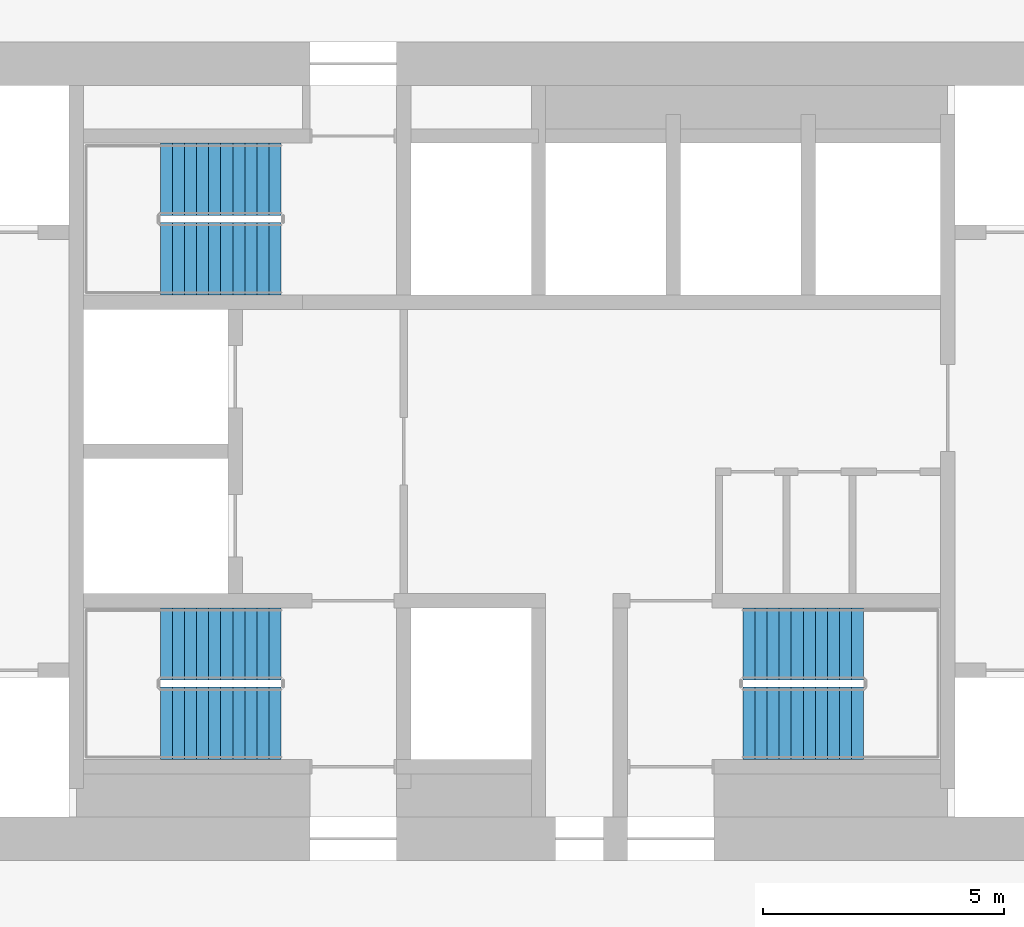
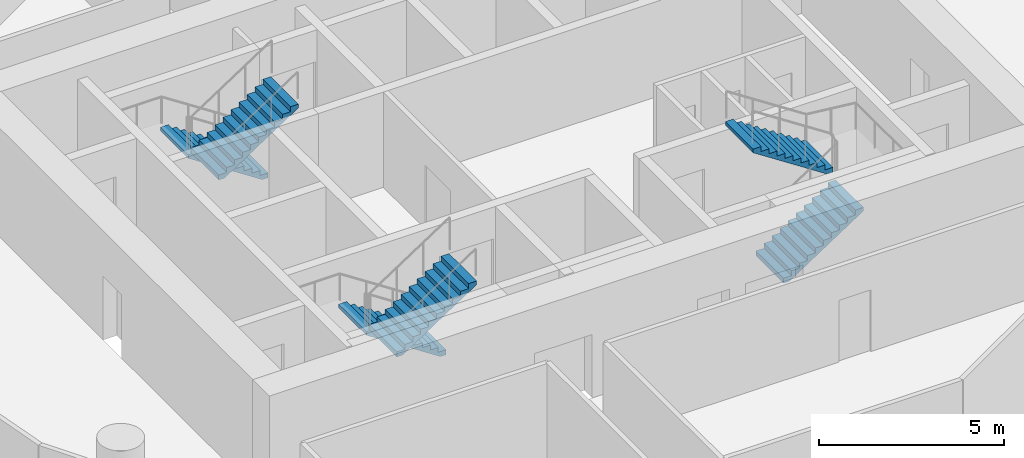
# One storey, part 8 of 9: 6 stair flights, 3 elements without a shape of their own.
"""IFC4 building model written with IfcOpenShell, lengths in metres."""

from ifc_helpers import new_model, si_unit, direction, frame, origin, place, context, subcontext, project, spatial, polyline, outline, extrude, material, type_object, element, aggregate, save


model = new_model("IFC4")

# Units and contexts
model_context = context("Model", 3, precision=1e-05, world=origin(), true_north=direction((0.0, 1.0)))
body_context = subcontext(model_context, "Body", "Model", "MODEL_VIEW")
ifc_project = project(units=[si_unit("LENGTHUNIT", "METRE"), si_unit("AREAUNIT", "SQUARE_METRE"), si_unit("VOLUMEUNIT", "CUBIC_METRE"), si_unit("PLANEANGLEUNIT", "RADIAN"), si_unit("MASSUNIT", "GRAM", prefix="KILO")], contexts=[model_context])

# Site, building, storey
site_placement = place(None, origin())
site = spatial("IfcSite", under=ifc_project, at=site_placement, CompositionType="ELEMENT")
building_placement = place(site_placement, origin())
building = spatial("IfcBuilding", under=site, at=building_placement, Name="Tracery Tower", CompositionType="ELEMENT")
storey_placement = place(building_placement, frame((0.0, 0.0, 216.0)))
storey = spatial("IfcBuildingStorey", under=building, at=storey_placement, Name="L56", CompositionType="ELEMENT", Elevation=216.0)

# Stair, stair flights
ifc_material_1 = material(Name="Concrete C32/40", Category="concrete")
stair_type = type_object("IfcStairType", Name="Core stair 22 risers", PredefinedType="HALF_TURN_STAIR", material=ifc_material_1)
stair_1_placement = place(storey_placement, origin())
stair_1 = element("IfcStair", 1, at=stair_1_placement, inside=storey, type_object=stair_type, Name="L56 stair ST1", PredefinedType="HALF_TURN_STAIR")
ifc_material_2 = material(Name="Concrete C32/40", Category="concrete")
stair_flight_type = type_object("IfcStairFlightType", Name="Core stair flight 11 risers", PredefinedType="STRAIGHT", material=ifc_material_2)
stair_flight_1_placement = place(storey_placement, frame((-4.800048828125, -4.0, 0.0), z_axis=(0.0, 0.0, 1.0), x_axis=(-1.0, 0.0, 0.0)))
stair_flight_1 = element("IfcStairFlight", 2, at=stair_flight_1_placement, type_object=stair_flight_type, Name="ST1 flight 1", NumberOfRisers=11, NumberOfTreads=10, PredefinedType="STRAIGHT", RiserHeight=0.163636364, TreadLength=0.25, context=body_context, shape_type="SweptSolid", body=[
    extrude(outline(polyline([(0.0, 0.0), (0.0, 0.002685546875), (0.0, 0.00537109375), (0.0, 0.008056640625), (0.0, 0.0107421875), (0.0, 0.013427734375), (0.0, 0.01611328125), (0.0, 0.018798828125), (0.0, 0.021484375), (0.0, 0.024169921875), (0.0, 0.02685546875), (0.0, 0.029541015625), (0.0, 0.0322265625), (0.0, 0.034912109375), (0.0, 0.03759765625), (0.0, 0.040283203125), (0.0, 0.04296875), (0.0, 0.045654296875), (0.0, 0.04833984375), (0.0, 0.051025390625), (0.0, 0.0537109375), (0.0, 0.056396484375), (0.0, 0.05908203125), (0.0, 0.061767578125), (0.0, 0.064453125), (0.0, 0.067138671875), (0.0, 0.06982421875), (0.0, 0.072509765625), (0.0, 0.0751953125), (0.0, 0.077880859375), (0.0, 0.08056640625), (0.0, 0.083251953125), (0.0, 0.0859375), (0.0, 0.088623046875), (0.0, 0.09130859375), (0.0, 0.093994140625), (0.0, 0.0966796875), (0.0, 0.099365234375), (0.0, 0.10205078125), (0.0, 0.104736328125), (0.0, 0.107421875), (0.0, 0.10986328125), (0.0, 0.112548828125), (0.0, 0.115234375), (0.0, 0.117919921875), (0.0, 0.12060546875), (0.0, 0.123291015625), (0.0, 0.1259765625), (0.0, 0.128662109375), (0.0, 0.13134765625), (0.0, 0.134033203125), (0.0, 0.13671875), (0.0, 0.139404296875), (0.0, 0.14208984375), (0.0, 0.144775390625), (0.0, 0.1474609375), (0.0, 0.150146484375), (0.0, 0.15283203125), (0.0, 0.155517578125), (0.0, 0.158203125), (0.0, 0.160888671875), (0.0, 0.16357421875), (0.25, 0.16357421875), (0.25, 0.327392578125), (0.5, 0.327392578125), (0.5, 0.490966796875), (0.75, 0.490966796875), (0.75, 0.654541015625), (1.0, 0.654541015625), (1.0, 0.818115234375), (1.25, 0.818115234375), (1.25, 0.98193359375), (1.5, 0.98193359375), (1.5, 1.1455078125), (1.75, 1.1455078125), (1.75, 1.30908203125), (2.0, 1.30908203125), (2.0, 1.47265625), (2.25, 1.47265625), (2.25, 1.636474609375), (2.5, 1.636474609375), (2.5, 1.634521484375), (2.5, 1.63232421875), (2.5, 1.63037109375), (2.5, 1.62841796875), (2.5, 1.62646484375), (2.5, 1.62451171875), (2.5, 1.62255859375), (2.5, 1.62060546875), (2.5, 1.61865234375), (2.5, 1.61669921875), (2.5, 1.61474609375), (2.5, 1.61279296875), (2.5, 1.61083984375), (2.5, 1.60888671875), (2.5, 1.60693359375), (2.5, 1.60498046875), (2.5, 1.60302734375), (2.5, 1.60107421875), (2.5, 1.59912109375), (2.5, 1.59716796875), (2.5, 1.59521484375), (2.5, 1.59326171875), (2.5, 1.59130859375), (2.5, 1.58935546875), (2.5, 1.58740234375), (2.5, 1.58544921875), (2.5, 1.58349609375), (2.5, 1.58154296875), (2.5, 1.57958984375), (2.5, 1.57763671875), (2.5, 1.57568359375), (2.5, 1.573486328125), (2.5, 1.571533203125), (2.5, 1.569580078125), (2.5, 1.567626953125), (2.5, 1.565673828125), (2.5, 1.563720703125), (2.5, 1.561767578125), (2.5, 1.559814453125), (2.5, 1.557861328125), (2.5, 1.555908203125), (2.5, 1.553955078125), (2.5, 1.552001953125), (2.5, 1.550048828125), (2.5, 1.548095703125), (2.5, 1.546142578125), (2.5, 1.544189453125), (2.5, 1.542236328125), (2.5, 1.540283203125), (2.5, 1.538330078125), (2.5, 1.536376953125), (2.5, 1.534423828125), (2.5, 1.532470703125), (2.5, 1.530517578125), (2.5, 1.528564453125), (2.5, 1.526611328125), (2.5, 1.524658203125), (2.5, 1.522705078125), (2.5, 1.520751953125), (2.5, 1.518798828125), (2.5, 1.516845703125), (0.182861328125, 0.0), (0.0, 0.0)])), frame((0.0, 0.75, 0.0), z_axis=(0.0, -1.0, 0.0), x_axis=(1.0, 0.0, 0.0)), (0.0, 0.0, 1.0), 1.5),
])
stair_flight_2_placement = place(storey_placement, frame((-7.300048828125, -5.64990234375, 1.800048828125), z_axis=(0.0, 0.0, 1.0), x_axis=(1.0, 0.0, 0.0)))
stair_flight_2 = element("IfcStairFlight", 3, at=stair_flight_2_placement, type_object=stair_flight_type, Name="ST1 flight 2", NumberOfRisers=11, NumberOfTreads=10, PredefinedType="STRAIGHT", RiserHeight=0.163636364, TreadLength=0.25, context=body_context, shape_type="SweptSolid", body=[
    extrude(outline(polyline([(0.0, 0.0), (0.0, 0.002685546875), (0.0, 0.00537109375), (0.0, 0.008056640625), (0.0, 0.0107421875), (0.0, 0.013427734375), (0.0, 0.01611328125), (0.0, 0.018798828125), (0.0, 0.021484375), (0.0, 0.024169921875), (0.0, 0.02685546875), (0.0, 0.029541015625), (0.0, 0.0322265625), (0.0, 0.034912109375), (0.0, 0.03759765625), (0.0, 0.040283203125), (0.0, 0.04296875), (0.0, 0.045654296875), (0.0, 0.04833984375), (0.0, 0.051025390625), (0.0, 0.0537109375), (0.0, 0.056396484375), (0.0, 0.05908203125), (0.0, 0.061767578125), (0.0, 0.064453125), (0.0, 0.067138671875), (0.0, 0.06982421875), (0.0, 0.072509765625), (0.0, 0.0751953125), (0.0, 0.077880859375), (0.0, 0.08056640625), (0.0, 0.083251953125), (0.0, 0.0859375), (0.0, 0.088623046875), (0.0, 0.09130859375), (0.0, 0.093994140625), (0.0, 0.0966796875), (0.0, 0.099365234375), (0.0, 0.10205078125), (0.0, 0.104736328125), (0.0, 0.107421875), (0.0, 0.10986328125), (0.0, 0.112548828125), (0.0, 0.115234375), (0.0, 0.117919921875), (0.0, 0.12060546875), (0.0, 0.123291015625), (0.0, 0.1259765625), (0.0, 0.128662109375), (0.0, 0.13134765625), (0.0, 0.134033203125), (0.0, 0.13671875), (0.0, 0.139404296875), (0.0, 0.14208984375), (0.0, 0.144775390625), (0.0, 0.1474609375), (0.0, 0.150146484375), (0.0, 0.15283203125), (0.0, 0.155517578125), (0.0, 0.158203125), (0.0, 0.160888671875), (0.0, 0.16357421875), (0.25, 0.16357421875), (0.25, 0.327392578125), (0.5, 0.327392578125), (0.5, 0.490966796875), (0.75, 0.490966796875), (0.75, 0.654541015625), (1.0, 0.654541015625), (1.0, 0.818115234375), (1.25, 0.818115234375), (1.25, 0.98193359375), (1.5, 0.98193359375), (1.5, 1.1455078125), (1.75, 1.1455078125), (1.75, 1.30908203125), (2.0, 1.30908203125), (2.0, 1.47265625), (2.25, 1.47265625), (2.25, 1.636474609375), (2.5, 1.636474609375), (2.5, 1.634521484375), (2.5, 1.63232421875), (2.5, 1.63037109375), (2.5, 1.62841796875), (2.5, 1.62646484375), (2.5, 1.62451171875), (2.5, 1.62255859375), (2.5, 1.62060546875), (2.5, 1.61865234375), (2.5, 1.61669921875), (2.5, 1.61474609375), (2.5, 1.61279296875), (2.5, 1.61083984375), (2.5, 1.60888671875), (2.5, 1.60693359375), (2.5, 1.60498046875), (2.5, 1.60302734375), (2.5, 1.60107421875), (2.5, 1.59912109375), (2.5, 1.59716796875), (2.5, 1.59521484375), (2.5, 1.59326171875), (2.5, 1.59130859375), (2.5, 1.58935546875), (2.5, 1.58740234375), (2.5, 1.58544921875), (2.5, 1.58349609375), (2.5, 1.58154296875), (2.5, 1.57958984375), (2.5, 1.57763671875), (2.5, 1.57568359375), (2.5, 1.573486328125), (2.5, 1.571533203125), (2.5, 1.569580078125), (2.5, 1.567626953125), (2.5, 1.565673828125), (2.5, 1.563720703125), (2.5, 1.561767578125), (2.5, 1.559814453125), (2.5, 1.557861328125), (2.5, 1.555908203125), (2.5, 1.553955078125), (2.5, 1.552001953125), (2.5, 1.550048828125), (2.5, 1.548095703125), (2.5, 1.546142578125), (2.5, 1.544189453125), (2.5, 1.542236328125), (2.5, 1.540283203125), (2.5, 1.538330078125), (2.5, 1.536376953125), (2.5, 1.534423828125), (2.5, 1.532470703125), (2.5, 1.530517578125), (2.5, 1.528564453125), (2.5, 1.526611328125), (2.5, 1.524658203125), (2.5, 1.522705078125), (2.5, 1.520751953125), (2.5, 1.518798828125), (2.5, 1.516845703125), (0.182861328125, 0.0), (0.0, 0.0)])), frame((0.0, 0.75, 0.0), z_axis=(0.0, -1.0, 0.0), x_axis=(1.0, 0.0, 0.0)), (0.0, 0.0, 1.0), 1.5),
])
aggregate(stair_1, [stair_flight_1, stair_flight_2])

stair_2_placement = place(storey_placement, origin())
stair_2 = element("IfcStair", 4, at=stair_2_placement, inside=storey, type_object=stair_type, Name="L56 stair ST3", PredefinedType="HALF_TURN_STAIR")
stair_flight_3_placement = place(storey_placement, frame((-4.800048828125, 5.64990234375, 0.0), z_axis=(0.0, 0.0, 1.0), x_axis=(-1.0, 0.0, 0.0)))
stair_flight_3 = element("IfcStairFlight", 5, at=stair_flight_3_placement, type_object=stair_flight_type, Name="ST3 flight 1", NumberOfRisers=11, NumberOfTreads=10, PredefinedType="STRAIGHT", RiserHeight=0.163636364, TreadLength=0.25, context=body_context, shape_type="SweptSolid", body=[
    extrude(outline(polyline([(0.0, 0.0), (0.0, 0.002685546875), (0.0, 0.00537109375), (0.0, 0.008056640625), (0.0, 0.0107421875), (0.0, 0.013427734375), (0.0, 0.01611328125), (0.0, 0.018798828125), (0.0, 0.021484375), (0.0, 0.024169921875), (0.0, 0.02685546875), (0.0, 0.029541015625), (0.0, 0.0322265625), (0.0, 0.034912109375), (0.0, 0.03759765625), (0.0, 0.040283203125), (0.0, 0.04296875), (0.0, 0.045654296875), (0.0, 0.04833984375), (0.0, 0.051025390625), (0.0, 0.0537109375), (0.0, 0.056396484375), (0.0, 0.05908203125), (0.0, 0.061767578125), (0.0, 0.064453125), (0.0, 0.067138671875), (0.0, 0.06982421875), (0.0, 0.072509765625), (0.0, 0.0751953125), (0.0, 0.077880859375), (0.0, 0.08056640625), (0.0, 0.083251953125), (0.0, 0.0859375), (0.0, 0.088623046875), (0.0, 0.09130859375), (0.0, 0.093994140625), (0.0, 0.0966796875), (0.0, 0.099365234375), (0.0, 0.10205078125), (0.0, 0.104736328125), (0.0, 0.107421875), (0.0, 0.10986328125), (0.0, 0.112548828125), (0.0, 0.115234375), (0.0, 0.117919921875), (0.0, 0.12060546875), (0.0, 0.123291015625), (0.0, 0.1259765625), (0.0, 0.128662109375), (0.0, 0.13134765625), (0.0, 0.134033203125), (0.0, 0.13671875), (0.0, 0.139404296875), (0.0, 0.14208984375), (0.0, 0.144775390625), (0.0, 0.1474609375), (0.0, 0.150146484375), (0.0, 0.15283203125), (0.0, 0.155517578125), (0.0, 0.158203125), (0.0, 0.160888671875), (0.0, 0.16357421875), (0.25, 0.16357421875), (0.25, 0.327392578125), (0.5, 0.327392578125), (0.5, 0.490966796875), (0.75, 0.490966796875), (0.75, 0.654541015625), (1.0, 0.654541015625), (1.0, 0.818115234375), (1.25, 0.818115234375), (1.25, 0.98193359375), (1.5, 0.98193359375), (1.5, 1.1455078125), (1.75, 1.1455078125), (1.75, 1.30908203125), (2.0, 1.30908203125), (2.0, 1.47265625), (2.25, 1.47265625), (2.25, 1.636474609375), (2.5, 1.636474609375), (2.5, 1.634521484375), (2.5, 1.63232421875), (2.5, 1.63037109375), (2.5, 1.62841796875), (2.5, 1.62646484375), (2.5, 1.62451171875), (2.5, 1.62255859375), (2.5, 1.62060546875), (2.5, 1.61865234375), (2.5, 1.61669921875), (2.5, 1.61474609375), (2.5, 1.61279296875), (2.5, 1.61083984375), (2.5, 1.60888671875), (2.5, 1.60693359375), (2.5, 1.60498046875), (2.5, 1.60302734375), (2.5, 1.60107421875), (2.5, 1.59912109375), (2.5, 1.59716796875), (2.5, 1.59521484375), (2.5, 1.59326171875), (2.5, 1.59130859375), (2.5, 1.58935546875), (2.5, 1.58740234375), (2.5, 1.58544921875), (2.5, 1.58349609375), (2.5, 1.58154296875), (2.5, 1.57958984375), (2.5, 1.57763671875), (2.5, 1.57568359375), (2.5, 1.573486328125), (2.5, 1.571533203125), (2.5, 1.569580078125), (2.5, 1.567626953125), (2.5, 1.565673828125), (2.5, 1.563720703125), (2.5, 1.561767578125), (2.5, 1.559814453125), (2.5, 1.557861328125), (2.5, 1.555908203125), (2.5, 1.553955078125), (2.5, 1.552001953125), (2.5, 1.550048828125), (2.5, 1.548095703125), (2.5, 1.546142578125), (2.5, 1.544189453125), (2.5, 1.542236328125), (2.5, 1.540283203125), (2.5, 1.538330078125), (2.5, 1.536376953125), (2.5, 1.534423828125), (2.5, 1.532470703125), (2.5, 1.530517578125), (2.5, 1.528564453125), (2.5, 1.526611328125), (2.5, 1.524658203125), (2.5, 1.522705078125), (2.5, 1.520751953125), (2.5, 1.518798828125), (2.5, 1.516845703125), (0.182861328125, 0.0), (0.0, 0.0)])), frame((0.0, 0.75, 0.0), z_axis=(0.0, -1.0, 0.0), x_axis=(1.0, 0.0, 0.0)), (0.0, 0.0, 1.0), 1.5),
])
stair_flight_4_placement = place(storey_placement, frame((-7.300048828125, 4.0, 1.800048828125), z_axis=(0.0, 0.0, 1.0), x_axis=(1.0, 0.0, 0.0)))
stair_flight_4 = element("IfcStairFlight", 6, at=stair_flight_4_placement, type_object=stair_flight_type, Name="ST3 flight 2", NumberOfRisers=11, NumberOfTreads=10, PredefinedType="STRAIGHT", RiserHeight=0.163636364, TreadLength=0.25, context=body_context, shape_type="SweptSolid", body=[
    extrude(outline(polyline([(0.0, 0.0), (0.0, 0.002685546875), (0.0, 0.00537109375), (0.0, 0.008056640625), (0.0, 0.0107421875), (0.0, 0.013427734375), (0.0, 0.01611328125), (0.0, 0.018798828125), (0.0, 0.021484375), (0.0, 0.024169921875), (0.0, 0.02685546875), (0.0, 0.029541015625), (0.0, 0.0322265625), (0.0, 0.034912109375), (0.0, 0.03759765625), (0.0, 0.040283203125), (0.0, 0.04296875), (0.0, 0.045654296875), (0.0, 0.04833984375), (0.0, 0.051025390625), (0.0, 0.0537109375), (0.0, 0.056396484375), (0.0, 0.05908203125), (0.0, 0.061767578125), (0.0, 0.064453125), (0.0, 0.067138671875), (0.0, 0.06982421875), (0.0, 0.072509765625), (0.0, 0.0751953125), (0.0, 0.077880859375), (0.0, 0.08056640625), (0.0, 0.083251953125), (0.0, 0.0859375), (0.0, 0.088623046875), (0.0, 0.09130859375), (0.0, 0.093994140625), (0.0, 0.0966796875), (0.0, 0.099365234375), (0.0, 0.10205078125), (0.0, 0.104736328125), (0.0, 0.107421875), (0.0, 0.10986328125), (0.0, 0.112548828125), (0.0, 0.115234375), (0.0, 0.117919921875), (0.0, 0.12060546875), (0.0, 0.123291015625), (0.0, 0.1259765625), (0.0, 0.128662109375), (0.0, 0.13134765625), (0.0, 0.134033203125), (0.0, 0.13671875), (0.0, 0.139404296875), (0.0, 0.14208984375), (0.0, 0.144775390625), (0.0, 0.1474609375), (0.0, 0.150146484375), (0.0, 0.15283203125), (0.0, 0.155517578125), (0.0, 0.158203125), (0.0, 0.160888671875), (0.0, 0.16357421875), (0.25, 0.16357421875), (0.25, 0.327392578125), (0.5, 0.327392578125), (0.5, 0.490966796875), (0.75, 0.490966796875), (0.75, 0.654541015625), (1.0, 0.654541015625), (1.0, 0.818115234375), (1.25, 0.818115234375), (1.25, 0.98193359375), (1.5, 0.98193359375), (1.5, 1.1455078125), (1.75, 1.1455078125), (1.75, 1.30908203125), (2.0, 1.30908203125), (2.0, 1.47265625), (2.25, 1.47265625), (2.25, 1.636474609375), (2.5, 1.636474609375), (2.5, 1.634521484375), (2.5, 1.63232421875), (2.5, 1.63037109375), (2.5, 1.62841796875), (2.5, 1.62646484375), (2.5, 1.62451171875), (2.5, 1.62255859375), (2.5, 1.62060546875), (2.5, 1.61865234375), (2.5, 1.61669921875), (2.5, 1.61474609375), (2.5, 1.61279296875), (2.5, 1.61083984375), (2.5, 1.60888671875), (2.5, 1.60693359375), (2.5, 1.60498046875), (2.5, 1.60302734375), (2.5, 1.60107421875), (2.5, 1.59912109375), (2.5, 1.59716796875), (2.5, 1.59521484375), (2.5, 1.59326171875), (2.5, 1.59130859375), (2.5, 1.58935546875), (2.5, 1.58740234375), (2.5, 1.58544921875), (2.5, 1.58349609375), (2.5, 1.58154296875), (2.5, 1.57958984375), (2.5, 1.57763671875), (2.5, 1.57568359375), (2.5, 1.573486328125), (2.5, 1.571533203125), (2.5, 1.569580078125), (2.5, 1.567626953125), (2.5, 1.565673828125), (2.5, 1.563720703125), (2.5, 1.561767578125), (2.5, 1.559814453125), (2.5, 1.557861328125), (2.5, 1.555908203125), (2.5, 1.553955078125), (2.5, 1.552001953125), (2.5, 1.550048828125), (2.5, 1.548095703125), (2.5, 1.546142578125), (2.5, 1.544189453125), (2.5, 1.542236328125), (2.5, 1.540283203125), (2.5, 1.538330078125), (2.5, 1.536376953125), (2.5, 1.534423828125), (2.5, 1.532470703125), (2.5, 1.530517578125), (2.5, 1.528564453125), (2.5, 1.526611328125), (2.5, 1.524658203125), (2.5, 1.522705078125), (2.5, 1.520751953125), (2.5, 1.518798828125), (2.5, 1.516845703125), (0.182861328125, 0.0), (0.0, 0.0)])), frame((0.0, 0.75, 0.0), z_axis=(0.0, -1.0, 0.0), x_axis=(1.0, 0.0, 0.0)), (0.0, 0.0, 1.0), 1.5),
])
aggregate(stair_2, [stair_flight_3, stair_flight_4])

stair_3_placement = place(storey_placement, origin())
stair_3 = element("IfcStair", 7, at=stair_3_placement, inside=storey, type_object=stair_type, Name="L56 stair ST2", PredefinedType="HALF_TURN_STAIR")
stair_flight_5_placement = place(storey_placement, frame((4.800048828125, -5.64990234375, 0.0), z_axis=(0.0, 0.0, 1.0), x_axis=(1.0, 0.0, 0.0)))
stair_flight_5 = element("IfcStairFlight", 8, at=stair_flight_5_placement, type_object=stair_flight_type, Name="ST2 flight 1", NumberOfRisers=11, NumberOfTreads=10, PredefinedType="STRAIGHT", RiserHeight=0.163636364, TreadLength=0.25, context=body_context, shape_type="SweptSolid", body=[
    extrude(outline(polyline([(0.0, 0.0), (0.0, 0.002685546875), (0.0, 0.00537109375), (0.0, 0.008056640625), (0.0, 0.0107421875), (0.0, 0.013427734375), (0.0, 0.01611328125), (0.0, 0.018798828125), (0.0, 0.021484375), (0.0, 0.024169921875), (0.0, 0.02685546875), (0.0, 0.029541015625), (0.0, 0.0322265625), (0.0, 0.034912109375), (0.0, 0.03759765625), (0.0, 0.040283203125), (0.0, 0.04296875), (0.0, 0.045654296875), (0.0, 0.04833984375), (0.0, 0.051025390625), (0.0, 0.0537109375), (0.0, 0.056396484375), (0.0, 0.05908203125), (0.0, 0.061767578125), (0.0, 0.064453125), (0.0, 0.067138671875), (0.0, 0.06982421875), (0.0, 0.072509765625), (0.0, 0.0751953125), (0.0, 0.077880859375), (0.0, 0.08056640625), (0.0, 0.083251953125), (0.0, 0.0859375), (0.0, 0.088623046875), (0.0, 0.09130859375), (0.0, 0.093994140625), (0.0, 0.0966796875), (0.0, 0.099365234375), (0.0, 0.10205078125), (0.0, 0.104736328125), (0.0, 0.107421875), (0.0, 0.10986328125), (0.0, 0.112548828125), (0.0, 0.115234375), (0.0, 0.117919921875), (0.0, 0.12060546875), (0.0, 0.123291015625), (0.0, 0.1259765625), (0.0, 0.128662109375), (0.0, 0.13134765625), (0.0, 0.134033203125), (0.0, 0.13671875), (0.0, 0.139404296875), (0.0, 0.14208984375), (0.0, 0.144775390625), (0.0, 0.1474609375), (0.0, 0.150146484375), (0.0, 0.15283203125), (0.0, 0.155517578125), (0.0, 0.158203125), (0.0, 0.160888671875), (0.0, 0.16357421875), (0.25, 0.16357421875), (0.25, 0.327392578125), (0.5, 0.327392578125), (0.5, 0.490966796875), (0.75, 0.490966796875), (0.75, 0.654541015625), (1.0, 0.654541015625), (1.0, 0.818115234375), (1.25, 0.818115234375), (1.25, 0.98193359375), (1.5, 0.98193359375), (1.5, 1.1455078125), (1.75, 1.1455078125), (1.75, 1.30908203125), (2.0, 1.30908203125), (2.0, 1.47265625), (2.25, 1.47265625), (2.25, 1.636474609375), (2.5, 1.636474609375), (2.5, 1.634521484375), (2.5, 1.63232421875), (2.5, 1.63037109375), (2.5, 1.62841796875), (2.5, 1.62646484375), (2.5, 1.62451171875), (2.5, 1.62255859375), (2.5, 1.62060546875), (2.5, 1.61865234375), (2.5, 1.61669921875), (2.5, 1.61474609375), (2.5, 1.61279296875), (2.5, 1.61083984375), (2.5, 1.60888671875), (2.5, 1.60693359375), (2.5, 1.60498046875), (2.5, 1.60302734375), (2.5, 1.60107421875), (2.5, 1.59912109375), (2.5, 1.59716796875), (2.5, 1.59521484375), (2.5, 1.59326171875), (2.5, 1.59130859375), (2.5, 1.58935546875), (2.5, 1.58740234375), (2.5, 1.58544921875), (2.5, 1.58349609375), (2.5, 1.58154296875), (2.5, 1.57958984375), (2.5, 1.57763671875), (2.5, 1.57568359375), (2.5, 1.573486328125), (2.5, 1.571533203125), (2.5, 1.569580078125), (2.5, 1.567626953125), (2.5, 1.565673828125), (2.5, 1.563720703125), (2.5, 1.561767578125), (2.5, 1.559814453125), (2.5, 1.557861328125), (2.5, 1.555908203125), (2.5, 1.553955078125), (2.5, 1.552001953125), (2.5, 1.550048828125), (2.5, 1.548095703125), (2.5, 1.546142578125), (2.5, 1.544189453125), (2.5, 1.542236328125), (2.5, 1.540283203125), (2.5, 1.538330078125), (2.5, 1.536376953125), (2.5, 1.534423828125), (2.5, 1.532470703125), (2.5, 1.530517578125), (2.5, 1.528564453125), (2.5, 1.526611328125), (2.5, 1.524658203125), (2.5, 1.522705078125), (2.5, 1.520751953125), (2.5, 1.518798828125), (2.5, 1.516845703125), (0.182861328125, 0.0), (0.0, 0.0)])), frame((0.0, 0.75, 0.0), z_axis=(0.0, -1.0, 0.0), x_axis=(1.0, 0.0, 0.0)), (0.0, 0.0, 1.0), 1.5),
])
stair_flight_6_placement = place(storey_placement, frame((7.300048828125, -4.0, 1.800048828125), z_axis=(0.0, 0.0, 1.0), x_axis=(-1.0, 0.0, 0.0)))
stair_flight_6 = element("IfcStairFlight", 9, at=stair_flight_6_placement, type_object=stair_flight_type, Name="ST2 flight 2", NumberOfRisers=11, NumberOfTreads=10, PredefinedType="STRAIGHT", RiserHeight=0.163636364, TreadLength=0.25, context=body_context, shape_type="SweptSolid", body=[
    extrude(outline(polyline([(0.0, 0.0), (0.0, 0.002685546875), (0.0, 0.00537109375), (0.0, 0.008056640625), (0.0, 0.0107421875), (0.0, 0.013427734375), (0.0, 0.01611328125), (0.0, 0.018798828125), (0.0, 0.021484375), (0.0, 0.024169921875), (0.0, 0.02685546875), (0.0, 0.029541015625), (0.0, 0.0322265625), (0.0, 0.034912109375), (0.0, 0.03759765625), (0.0, 0.040283203125), (0.0, 0.04296875), (0.0, 0.045654296875), (0.0, 0.04833984375), (0.0, 0.051025390625), (0.0, 0.0537109375), (0.0, 0.056396484375), (0.0, 0.05908203125), (0.0, 0.061767578125), (0.0, 0.064453125), (0.0, 0.067138671875), (0.0, 0.06982421875), (0.0, 0.072509765625), (0.0, 0.0751953125), (0.0, 0.077880859375), (0.0, 0.08056640625), (0.0, 0.083251953125), (0.0, 0.0859375), (0.0, 0.088623046875), (0.0, 0.09130859375), (0.0, 0.093994140625), (0.0, 0.0966796875), (0.0, 0.099365234375), (0.0, 0.10205078125), (0.0, 0.104736328125), (0.0, 0.107421875), (0.0, 0.10986328125), (0.0, 0.112548828125), (0.0, 0.115234375), (0.0, 0.117919921875), (0.0, 0.12060546875), (0.0, 0.123291015625), (0.0, 0.1259765625), (0.0, 0.128662109375), (0.0, 0.13134765625), (0.0, 0.134033203125), (0.0, 0.13671875), (0.0, 0.139404296875), (0.0, 0.14208984375), (0.0, 0.144775390625), (0.0, 0.1474609375), (0.0, 0.150146484375), (0.0, 0.15283203125), (0.0, 0.155517578125), (0.0, 0.158203125), (0.0, 0.160888671875), (0.0, 0.16357421875), (0.25, 0.16357421875), (0.25, 0.327392578125), (0.5, 0.327392578125), (0.5, 0.490966796875), (0.75, 0.490966796875), (0.75, 0.654541015625), (1.0, 0.654541015625), (1.0, 0.818115234375), (1.25, 0.818115234375), (1.25, 0.98193359375), (1.5, 0.98193359375), (1.5, 1.1455078125), (1.75, 1.1455078125), (1.75, 1.30908203125), (2.0, 1.30908203125), (2.0, 1.47265625), (2.25, 1.47265625), (2.25, 1.636474609375), (2.5, 1.636474609375), (2.5, 1.634521484375), (2.5, 1.63232421875), (2.5, 1.63037109375), (2.5, 1.62841796875), (2.5, 1.62646484375), (2.5, 1.62451171875), (2.5, 1.62255859375), (2.5, 1.62060546875), (2.5, 1.61865234375), (2.5, 1.61669921875), (2.5, 1.61474609375), (2.5, 1.61279296875), (2.5, 1.61083984375), (2.5, 1.60888671875), (2.5, 1.60693359375), (2.5, 1.60498046875), (2.5, 1.60302734375), (2.5, 1.60107421875), (2.5, 1.59912109375), (2.5, 1.59716796875), (2.5, 1.59521484375), (2.5, 1.59326171875), (2.5, 1.59130859375), (2.5, 1.58935546875), (2.5, 1.58740234375), (2.5, 1.58544921875), (2.5, 1.58349609375), (2.5, 1.58154296875), (2.5, 1.57958984375), (2.5, 1.57763671875), (2.5, 1.57568359375), (2.5, 1.573486328125), (2.5, 1.571533203125), (2.5, 1.569580078125), (2.5, 1.567626953125), (2.5, 1.565673828125), (2.5, 1.563720703125), (2.5, 1.561767578125), (2.5, 1.559814453125), (2.5, 1.557861328125), (2.5, 1.555908203125), (2.5, 1.553955078125), (2.5, 1.552001953125), (2.5, 1.550048828125), (2.5, 1.548095703125), (2.5, 1.546142578125), (2.5, 1.544189453125), (2.5, 1.542236328125), (2.5, 1.540283203125), (2.5, 1.538330078125), (2.5, 1.536376953125), (2.5, 1.534423828125), (2.5, 1.532470703125), (2.5, 1.530517578125), (2.5, 1.528564453125), (2.5, 1.526611328125), (2.5, 1.524658203125), (2.5, 1.522705078125), (2.5, 1.520751953125), (2.5, 1.518798828125), (2.5, 1.516845703125), (0.182861328125, 0.0), (0.0, 0.0)])), frame((0.0, 0.75, 0.0), z_axis=(0.0, -1.0, 0.0), x_axis=(1.0, 0.0, 0.0)), (0.0, 0.0, 1.0), 1.5),
])
aggregate(stair_3, [stair_flight_5, stair_flight_6])

save(model, "model.ifc")
